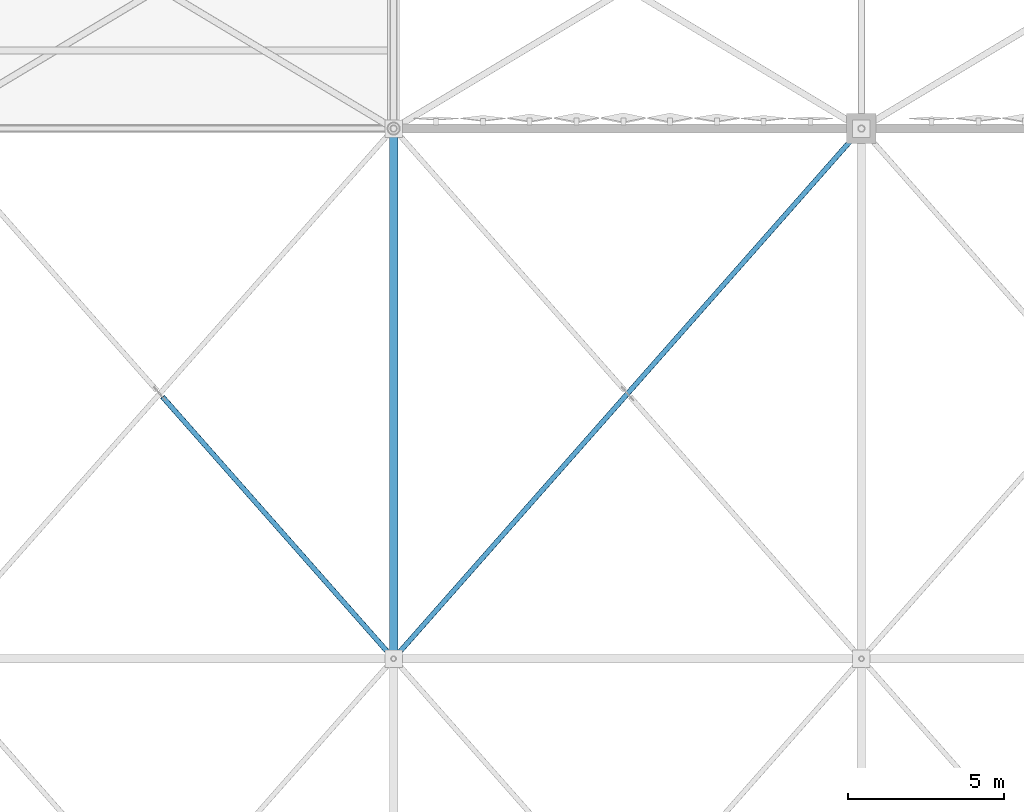
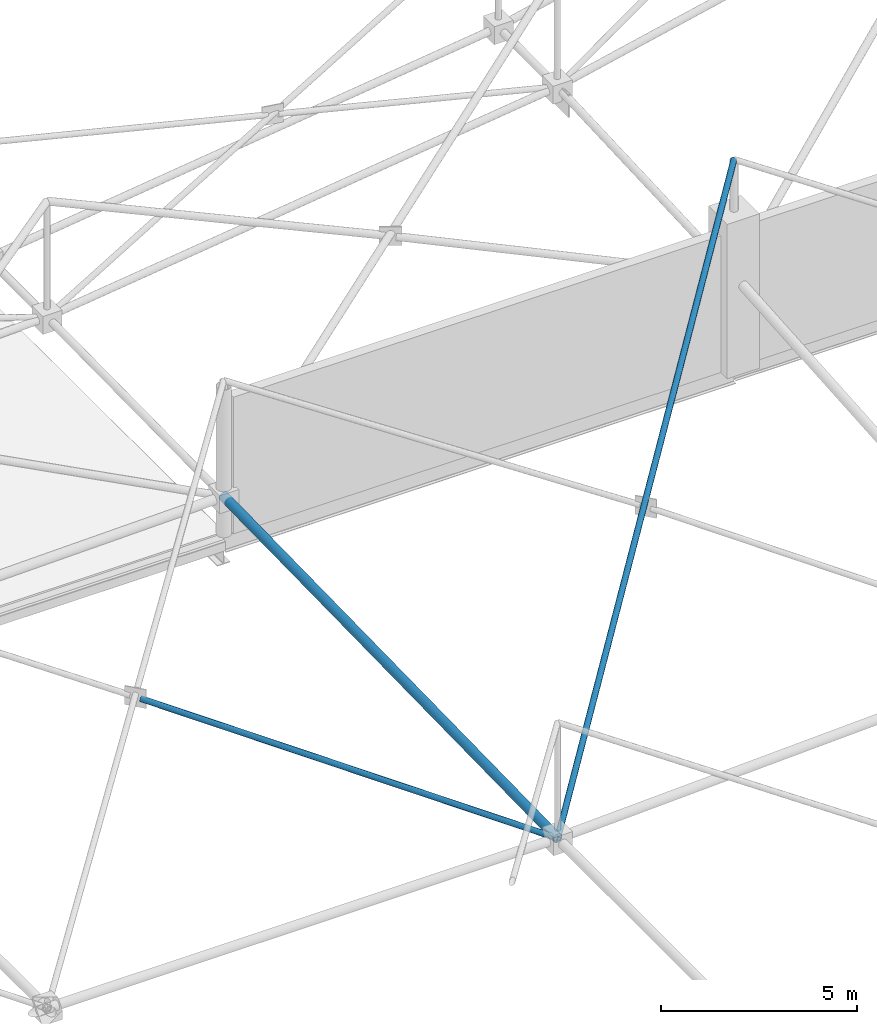
# One storey, part 108 of 224: 3 members.
"""IFC4 building model written with IfcOpenShell, lengths in metres."""

from ifc_helpers import new_model, si_unit, direction, frame, origin, origin_2d, place, context, subcontext, project, spatial, hollow_circle, extrude, material, material_profile, profile_set, type_object, element, save


model = new_model("IFC4")

# Units and contexts
model_context = context("Model", 3, precision=1e-05, world=origin(), true_north=direction((0.0, 1.0)))
body_context = subcontext(model_context, "Body", "Model", "MODEL_VIEW")
ifc_project = project(units=[si_unit("LENGTHUNIT", "METRE"), si_unit("AREAUNIT", "SQUARE_METRE"), si_unit("VOLUMEUNIT", "CUBIC_METRE"), si_unit("PLANEANGLEUNIT", "RADIAN"), si_unit("MASSUNIT", "GRAM", prefix="KILO")], contexts=[model_context])

# Site, building, storey
site_placement = place(None, origin())
site = spatial("IfcSite", under=ifc_project, at=site_placement, CompositionType="ELEMENT")
building_placement = place(site_placement, origin())
building = spatial("IfcBuilding", under=site, at=building_placement, Name="Qamarlyn Nura Convention Centre", CompositionType="ELEMENT")
storey_placement = place(building_placement, frame((0.0, 0.0, 10.800048828125)))
storey = spatial("IfcBuildingStorey", under=building, at=storey_placement, Name="L02", CompositionType="ELEMENT", Elevation=10.800048828125)

# Members
ifc_material = material(Name="Pearl-white PVDF steel ASTM A500 Grade C", Category="steel")
ifc_material_profile_1 = material_profile(ifc_material, hollow_circle(Radius=0.136474609375, WallThickness=0.012451171875, at=origin_2d()), Name="CHS273X12.5")
ifc_profile_set_1 = profile_set([ifc_material_profile_1], Name="Pearl-white PVDF steel ASTM A500 Grade C")
member_type_1 = type_object("IfcMemberType", Name="SF-BC-MAIN", PredefinedType="CHORD", material=ifc_profile_set_1)
member_1_placement = place(storey_placement, frame((90.0, 86.0, 0.828857421875), z_axis=(0.0, 0.999820912032, 0.018924689253), x_axis=(-1.0, 0.0, 0.0)))
element("IfcMember", 1, at=member_1_placement, inside=storey, type_object=member_type_1, Name="ROOF TRUSS space frame bottom chord Y8-6", PredefinedType="CHORD", context=body_context, shape_type="SweptSolid", body=[
    extrude(hollow_circle(Radius=0.136474609375, WallThickness=0.012451171875, at=origin_2d()), origin(), (0.0, 0.0, 1.0), 17.0029296875),
])
ifc_material_profile_2 = material_profile(ifc_material, hollow_circle(Radius=0.084228515625, WallThickness=0.008056640625, at=origin_2d()), Name="CHS168.3X8")
ifc_profile_set_2 = profile_set([ifc_material_profile_2], Name="Pearl-white PVDF steel ASTM A500 Grade C")
member_type_2 = type_object("IfcMemberType", Name="SF-WEB-STD", PredefinedType="BRACE", material=ifc_profile_set_2)
member_2_placement = place(storey_placement, frame((90.0, 86.0, 0.828857421875), z_axis=(-0.652826330111, 0.739869840793, 0.162512773032), x_axis=(-0.749837855365, -0.661621637087, 0.0)))
element("IfcMember", 2, at=member_2_placement, inside=storey, type_object=member_type_2, Name="ROOF TRUSS space frame split diagonal B1 7-6", PredefinedType="BRACE", context=body_context, shape_type="SweptSolid", body=[
    extrude(hollow_circle(Radius=0.084228515625, WallThickness=0.008056640625, at=origin_2d()), origin(), (0.0, 0.0, 1.0), 11.348388671875),
])
member_3_placement = place(storey_placement, frame((90.0, 86.0, 0.828857421875), z_axis=(0.642712617631, 0.728407633315, 0.237366406358), x_axis=(-0.749837855365, 0.661621637087, 0.0)))
element("IfcMember", 3, at=member_3_placement, inside=storey, type_object=member_type_2, Name="ROOF TRUSS space frame diagonal A 8-6", PredefinedType="BRACE", context=body_context, shape_type="SweptSolid", body=[
    extrude(hollow_circle(Radius=0.084228515625, WallThickness=0.008056640625, at=origin_2d()), origin(), (0.0, 0.0, 1.0), 23.338623046875),
])

save(model, "model.ifc")
